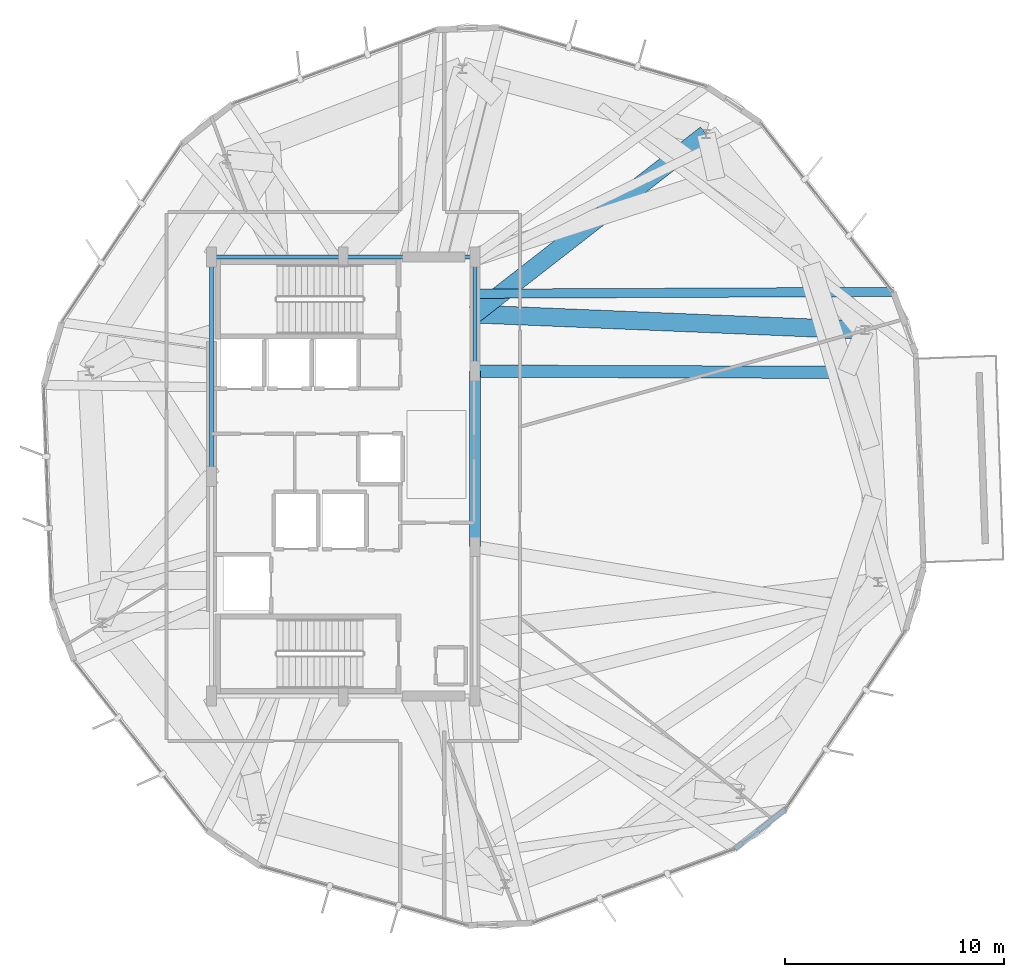
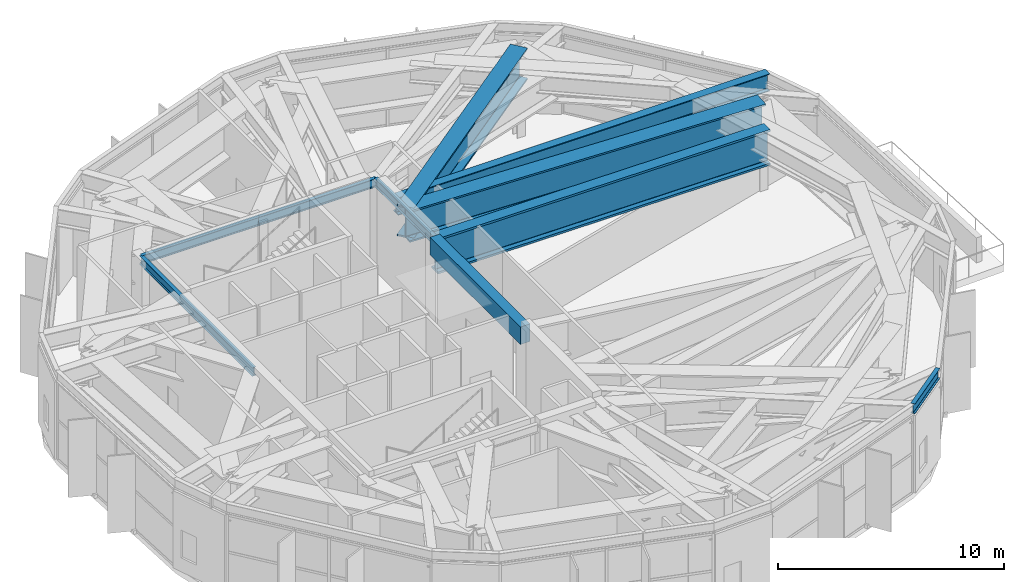
# One storey, part 12 of 30: 10 beams.
"""IFC4 building model written with IfcOpenShell, lengths in metres."""

from ifc_helpers import new_model, si_unit, direction, frame, origin, origin_2d, place, context, subcontext, project, spatial, rectangle, i_section, extrude, material, material_profile, profile_set, type_object, element, save


model = new_model("IFC4")

# Units and contexts
model_context = context("Model", 3, precision=1e-05, world=origin(), true_north=direction((0.0, 1.0)))
body_context = subcontext(model_context, "Body", "Model", "MODEL_VIEW")
ifc_project = project(units=[si_unit("LENGTHUNIT", "METRE"), si_unit("AREAUNIT", "SQUARE_METRE"), si_unit("VOLUMEUNIT", "CUBIC_METRE"), si_unit("PLANEANGLEUNIT", "RADIAN"), si_unit("MASSUNIT", "GRAM", prefix="KILO")], contexts=[model_context])

# Site, building, storey
site_placement = place(None, origin())
site = spatial("IfcSite", under=ifc_project, at=site_placement, CompositionType="ELEMENT")
building_placement = place(site_placement, origin())
building = spatial("IfcBuilding", under=site, at=building_placement, Name="Soratama Intermodal Tower", CompositionType="ELEMENT")
storey_placement = place(building_placement, frame((0.0, 0.0, 237.39990234375)))
storey = spatial("IfcBuildingStorey", under=building, at=storey_placement, Name="L60", CompositionType="ELEMENT", Elevation=237.39990234375)

# Beams
ifc_material_1 = material(Name="Concrete f'c 56 MPa", Category="concrete")
ifc_material_profile_1 = material_profile(ifc_material_1, rectangle(XDim=0.5, YDim=0.949951171875, at=origin_2d()), Name="RC500X950")
ifc_profile_set_1 = profile_set([ifc_material_profile_1], Name="Concrete f'c 56 MPa")
beam_type_1 = type_object("IfcBeamType", Name="BM-CPL-RC500X950", PredefinedType="BEAM", material=ifc_profile_set_1)
beam_1_placement = place(storey_placement, frame((44.60009765625, 21.800048828125, 4.3251953125), z_axis=(0.0, 1.0, 0.0), x_axis=(-1.0, 0.0, 0.0)))
element("IfcBeam", 1, at=beam_1_placement, inside=storey, type_object=beam_type_1, Name="L60 Core Coupling Beam East", PredefinedType="BEAM", context=body_context, shape_type="SweptSolid", body=[
    extrude(rectangle(XDim=0.5, YDim=0.949951171875, at=origin_2d()), origin(), (0.0, 0.0, 1.0), 8.0),
])
ifc_material_2 = material(Name="Structural steel ASTM A992 Grade 50", Category="steel")
ifc_material_profile_2 = material_profile(ifc_material_2, i_section(OverallWidth=0.19091796875, OverallDepth=0.4599609375, WebThickness=0.010009765625, FlangeThickness=0.01611328125, FilletRadius=0.010986328125, at=origin_2d()), Name="W18X55")
ifc_profile_set_2 = profile_set([ifc_material_profile_2], Name="Structural steel ASTM A992 Grade 50")
beam_type_2 = type_object("IfcBeamType", Name="BM-FLR-W18X55", PredefinedType="BEAM", material=ifc_profile_set_2)
beam_2_placement = place(storey_placement, frame((44.60009765625, 29.800048828125, 4.570068359375), z_axis=(0.0, 1.0, 0.0), x_axis=(-1.0, 0.0, 0.0)))
element("IfcBeam", 2, at=beam_2_placement, inside=storey, type_object=beam_type_2, Name="BM-L60-CRING-05", PredefinedType="BEAM", context=body_context, shape_type="SweptSolid", body=[
    extrude(i_section(OverallWidth=0.19091796875, OverallDepth=0.4599609375, WebThickness=0.010009765625, FlangeThickness=0.01611328125, FilletRadius=0.010986328125, at=origin_2d()), origin(), (0.0, 0.0, 1.0), 5.199951171875),
])
for number, where, z_axis, x_axis, name in (
    (3, (44.60009765625, 35.0, 4.570068359375), (-1.0, 0.0, 0.0), (0.0, -1.0, 0.0), "BM-L60-CRING-06"),
    (4, (38.60009765625, 35.0, 4.570068359375), (-1.0, 0.0, 0.0), (0.0, -1.0, 0.0), "BM-L60-CRING-07"),
):
    element("IfcBeam", number, at=place(storey_placement, frame(where, z_axis=z_axis, x_axis=x_axis)), inside=storey, type_object=beam_type_2, Name=name, PredefinedType="BEAM", context=body_context, shape_type="SweptSolid", body=[
        extrude(i_section(OverallWidth=0.19091796875, OverallDepth=0.4599609375, WebThickness=0.010009765625, FlangeThickness=0.01611328125, FilletRadius=0.010986328125, at=origin_2d()), origin(), (0.0, 0.0, 1.0), 6.0),
    ])
beam_3_placement = place(storey_placement, frame((32.60009765625, 35.0, 4.570068359375), z_axis=(0.0, -1.0, 0.0), x_axis=(1.0, 0.0, 0.0)))
element("IfcBeam", 5, at=beam_3_placement, inside=storey, type_object=beam_type_2, Name="BM-L60-CRING-08", PredefinedType="BEAM", context=body_context, shape_type="SweptSolid", body=[
    extrude(i_section(OverallWidth=0.19091796875, OverallDepth=0.4599609375, WebThickness=0.010009765625, FlangeThickness=0.01611328125, FilletRadius=0.010986328125, at=origin_2d()), origin(), (0.0, 0.0, 1.0), 10.0),
])
ifc_material_3 = material(Name="Structural steel ASTM A992 Grade 50", Category="steel")
ifc_material_profile_3 = material_profile(ifc_material_3, i_section(OverallWidth=0.423095703125, OverallDepth=0.93896484375, WebThickness=0.02392578125, FlangeThickness=0.042724609375, FilletRadius=0.02392578125, at=origin_2d()), Name="W36X302")
ifc_profile_set_3 = profile_set([ifc_material_profile_3], Name="Structural steel ASTM A992 Grade 50")
beam_type_3 = type_object("IfcBeamType", Name="BM-POD-W36X302", PredefinedType="BEAM", material=ifc_profile_set_3)
beam_4_placement = place(storey_placement, frame((44.639892578125, 33.324951171875, 4.33056640625), z_axis=(0.999990028831, 0.004465673387, 0.0), x_axis=(-0.004465673387, 0.999990028831, 0.0)))
element("IfcBeam", 6, at=beam_4_placement, inside=storey, type_object=beam_type_3, Name="BM-L60-TIE0-10", PredefinedType="BEAM", context=body_context, shape_type="SweptSolid", body=[
    extrude(i_section(OverallWidth=0.423095703125, OverallDepth=0.93896484375, WebThickness=0.02392578125, FlangeThickness=0.042724609375, FilletRadius=0.02392578125, at=origin_2d()), origin(), (0.0, 0.0, 1.0), 19.025390625),
])
ifc_material_4 = material(Name="Structural steel ASTM A992 Grade 50", Category="steel")
ifc_material_profile_4 = material_profile(ifc_material_4, i_section(OverallWidth=0.2099609375, OverallDepth=0.537109375, WebThickness=0.010986328125, FlangeThickness=0.017333984375, FilletRadius=0.012939453125, at=origin_2d()), Name="W21X68")
ifc_profile_set_4 = profile_set([ifc_material_profile_4], Name="Structural steel ASTM A992 Grade 50")
beam_type_4 = type_object("IfcBeamType", Name="BM-SPN-W21X68", PredefinedType="SPANDREL", material=ifc_profile_set_4)
beam_5_placement = place(storey_placement, frame((56.430908203125, 8.01708984375, 4.531494140625), z_axis=(0.786971695724, 0.616989100495, 0.0), x_axis=(-0.616989100495, 0.786971695724, 0.0)))
element("IfcBeam", 7, at=beam_5_placement, inside=storey, type_object=beam_type_4, Name="BS-L60-CRN07", PredefinedType="SPANDREL", context=body_context, shape_type="SweptSolid", body=[
    extrude(i_section(OverallWidth=0.2099609375, OverallDepth=0.537109375, WebThickness=0.010986328125, FlangeThickness=0.017333984375, FilletRadius=0.012939453125, at=origin_2d()), origin(), (0.0, 0.0, 1.0), 2.96728515625),
])
ifc_material_5 = material(Name="Structural steel ASTM A992 Grade 50", Category="steel")
ifc_material_profile_5 = material_profile(ifc_material_5, i_section(OverallWidth=0.56005859375, OverallDepth=1.919921875, WebThickness=0.05810546875, FlangeThickness=0.110107421875, FilletRadius=0.02392578125, at=origin_2d()), Name="PG2150X720")
ifc_profile_set_5 = profile_set([ifc_material_profile_5], Name="Structural steel ASTM A992 Grade 50")
beam_type_5 = type_object("IfcBeamType", Name="BM-ZSTEP-LONG", PredefinedType="BEAM", material=ifc_profile_set_5)
beam_6_placement = place(storey_placement, frame((61.533935546875, 29.740966796875, 3.840087890625), z_axis=(-0.999993913522, 0.003488971138, 0.0), x_axis=(-0.003488971138, -0.999993913522, 0.0)))
element("IfcBeam", 8, at=beam_6_placement, inside=storey, type_object=beam_type_5, Name="BM-L60-ZSTEP-B01", PredefinedType="BEAM", context=body_context, shape_type="SweptSolid", body=[
    extrude(i_section(OverallWidth=0.56005859375, OverallDepth=1.919921875, WebThickness=0.05810546875, FlangeThickness=0.110107421875, FilletRadius=0.02392578125, at=origin_2d()), origin(), (0.0, 0.0, 1.0), 16.933837890625),
])
ifc_material_6 = material(Name="Structural steel ASTM A992 Grade 50", Category="steel")
ifc_material_profile_6 = material_profile(ifc_material_6, i_section(OverallWidth=0.820068359375, OverallDepth=1.699951171875, WebThickness=0.053955078125, FlangeThickness=0.087890625, FilletRadius=0.02392578125, at=origin_2d()), Name="PG1580X800")
ifc_profile_set_6 = profile_set([ifc_material_profile_6], Name="Structural steel ASTM A992 Grade 50")
beam_type_6 = type_object("IfcBeamType", Name="BM-ZSTEP-PG1580", PredefinedType="BEAM", material=ifc_profile_set_6)
beam_7_placement = place(storey_placement, frame((44.60009765625, 32.39990234375, 3.9501953125), z_axis=(0.999147788389, -0.041275864109, 0.0), x_axis=(0.041275864109, 0.999147788389, 0.0)))
element("IfcBeam", 9, at=beam_7_placement, inside=storey, type_object=beam_type_6, Name="BM-L60-RAD-01", PredefinedType="BEAM", context=body_context, shape_type="SweptSolid", body=[
    extrude(i_section(OverallWidth=0.820068359375, OverallDepth=1.699951171875, WebThickness=0.053955078125, FlangeThickness=0.087890625, FilletRadius=0.02392578125, at=origin_2d()), origin(), (0.0, 0.0, 1.0), 17.780029296875),
])
beam_8_placement = place(storey_placement, frame((44.60009765625, 32.39990234375, 3.9501953125), z_axis=(0.789011268316, 0.6143787256, 0.0), x_axis=(-0.6143787256, 0.789011268316, 0.0)))
element("IfcBeam", 10, at=beam_8_placement, inside=storey, type_object=beam_type_6, Name="BM-L60-RAD-02", PredefinedType="BEAM", context=body_context, shape_type="SweptSolid", body=[
    extrude(i_section(OverallWidth=0.820068359375, OverallDepth=1.699951171875, WebThickness=0.053955078125, FlangeThickness=0.087890625, FilletRadius=0.02392578125, at=origin_2d()), origin(), (0.0, 0.0, 1.0), 13.345458984375),
])

save(model, "model.ifc")
